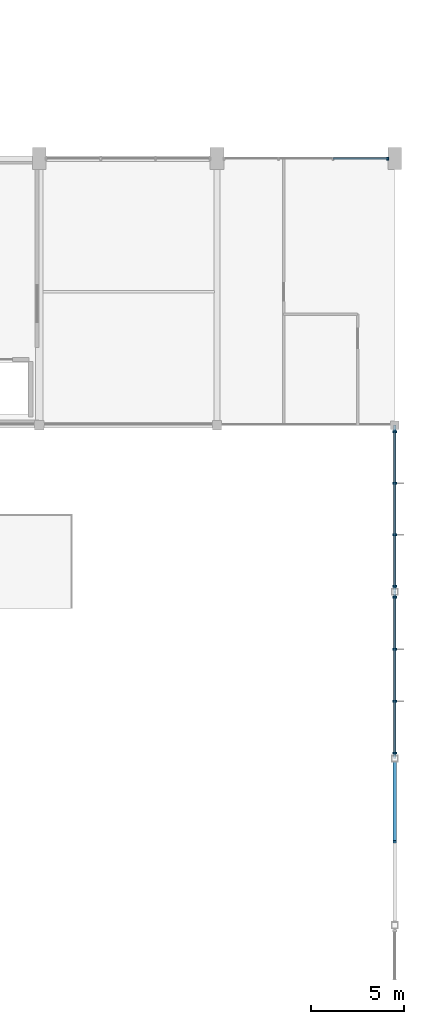
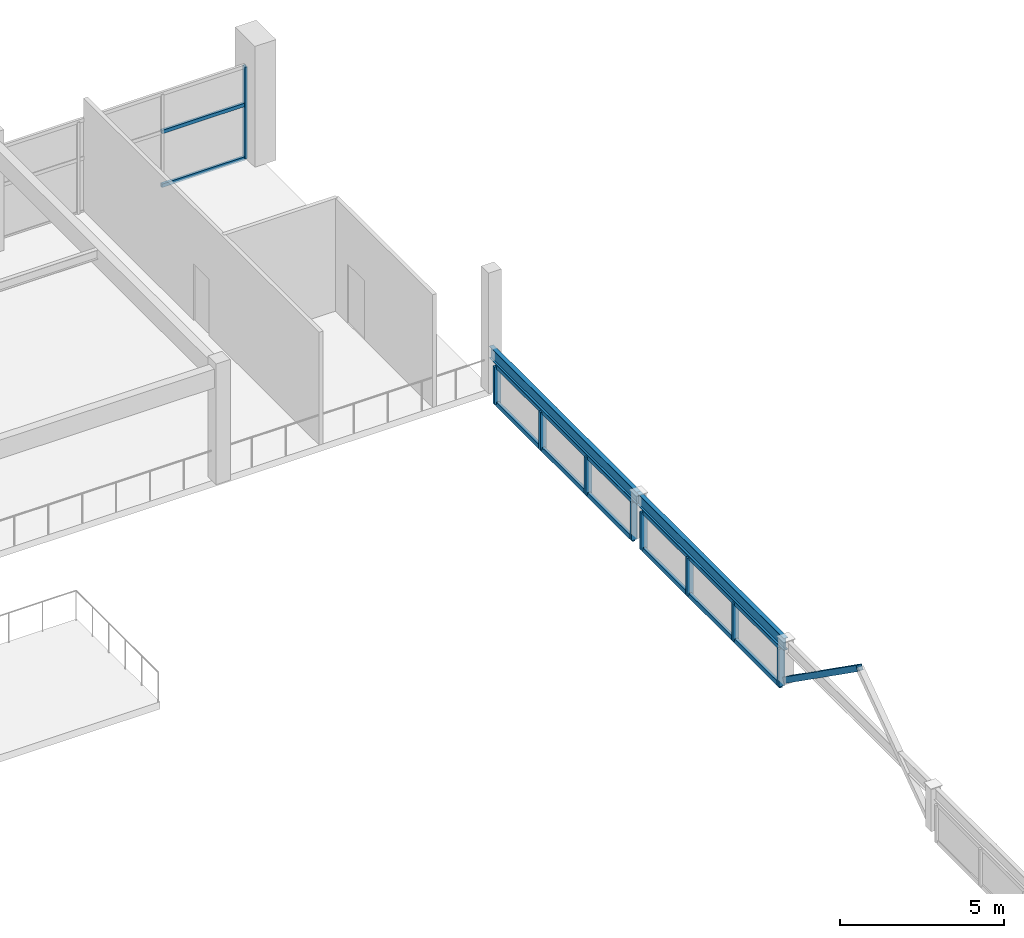
# One storey, part 45 of 89: 20 members, 2 beams, 3 elements without a shape of their own.
"""IFC4 building model written with IfcOpenShell, lengths in metres."""

from ifc_helpers import new_model, si_unit, direction, frame, origin, origin_2d, place, context, subcontext, project, spatial, rectangle, hollow_rectangle, i_section, extrude, material, material_profile, profile_set, type_object, element, aggregate, save


model = new_model("IFC4")

# Units and contexts
model_context = context("Model", 3, precision=1e-05, world=origin(), true_north=direction((0.0, 1.0)))
body_context = subcontext(model_context, "Body", "Model", "MODEL_VIEW")
ifc_project = project(units=[si_unit("LENGTHUNIT", "METRE"), si_unit("AREAUNIT", "SQUARE_METRE"), si_unit("VOLUMEUNIT", "CUBIC_METRE"), si_unit("PLANEANGLEUNIT", "RADIAN"), si_unit("MASSUNIT", "GRAM", prefix="KILO")], contexts=[model_context])

# Site, building, storey
site_placement = place(None, origin())
site = spatial("IfcSite", under=ifc_project, at=site_placement, CompositionType="ELEMENT")
building_placement = place(site_placement, origin())
building = spatial("IfcBuilding", under=site, at=building_placement, Name="Suirenkawa Promenade Aquatics Centre", CompositionType="ELEMENT")
storey_placement = place(building_placement, frame((0.0, 0.0, 9.60009765625)))
storey = spatial("IfcBuildingStorey", under=building, at=storey_placement, Name="L02", CompositionType="ELEMENT", Elevation=9.60009765625)

# Beams
ifc_material_1 = material(Name="Steel IS 2062 E350 (Grade 350)", Category="steel")
ifc_material_profile_1 = material_profile(ifc_material_1, i_section(OverallWidth=0.14990234375, OverallDepth=0.449951171875, WebThickness=0.009033203125, FlangeThickness=0.01708984375, at=origin_2d()), Name="ISMB 450", Category="steel")
ifc_profile_set_1 = profile_set([ifc_material_profile_1], Name="Steel IS 2062 E350 (Grade 350)")
beam_type = type_object("IfcBeamType", Name="BT-STL-ISMB450", PredefinedType="BEAM", material=ifc_profile_set_1)
for number, where, z_axis, x_axis, name in (
    (1, (194.39990234375, 68.39990234375, 1.375), (0.0, 1.0, 0.0), (-1.0, 0.0, 0.0), "Diving hall wind girt BM-08 BM-1367"),
    (2, (194.39990234375, 77.39990234375, 1.375), (0.0, 1.0, 0.0), (-1.0, 0.0, 0.0), "Diving hall wind girt BM-08 BM-1368"),
):
    element("IfcBeam", number, at=place(storey_placement, frame(where, z_axis=z_axis, x_axis=x_axis)), inside=storey, type_object=beam_type, Name=name, PredefinedType="BEAM", context=body_context, shape_type="SweptSolid", body=[
        extrude(i_section(OverallWidth=0.14990234375, OverallDepth=0.449951171875, WebThickness=0.009033203125, FlangeThickness=0.01708984375, at=origin_2d()), origin(), (0.0, 0.0, 1.0), 9.0),
    ])

# Curtain wall, member
ifc_material_2 = material(Name="Anodised aluminium 6063-T6", Category="aluminium")
curtain_wall_type_1 = type_object("IfcCurtainWallType", Name="CWAT-V2GL02-19", PredefinedType="NOTDEFINED", material=ifc_material_2)
curtain_wall_1_placement = place(storey_placement, origin())
curtain_wall_1 = element("IfcCurtainWall", 3, at=curtain_wall_1_placement, inside=storey, type_object=curtain_wall_type_1, Name="Curtain wall CWA-19 CW-047", PredefinedType="NOTDEFINED")
ifc_material_profile_2 = material_profile(ifc_material_2, rectangle(XDim=0.090087890625, YDim=0.159912109375, at=origin_2d()), Name="ALU MULL 90x160", Category="aluminium")
ifc_profile_set_2 = profile_set([ifc_material_profile_2], Name="Anodised aluminium 6063-T6")
member_type_1 = type_object("IfcMemberType", Name="CWM-160x90", PredefinedType="MULLION", material=ifc_profile_set_2)
member_1_placement = place(storey_placement, frame((194.02587890625, 100.800048828125, 0.0), z_axis=(0.0, 0.0, 1.0), x_axis=(1.0, 0.0, 0.0)))
member_1 = element("IfcMember", 4, at=member_1_placement, type_object=member_type_1, Name="Mullion ML-03 CWM-00959", PredefinedType="MULLION", context=body_context, shape_type="SweptSolid", body=[
    extrude(rectangle(XDim=0.090087890625, YDim=0.159912109375, at=origin_2d()), origin(), (0.0, 0.0, 1.0), 3.419921875),
])

# Curtain wall, members
curtain_wall_type_2 = type_object("IfcCurtainWallType", Name="CWAT-V2E-23", PredefinedType="NOTDEFINED", material=ifc_material_2)
curtain_wall_2_placement = place(storey_placement, origin())
curtain_wall_2 = element("IfcCurtainWall", 5, at=curtain_wall_2_placement, inside=storey, type_object=curtain_wall_type_2, Name="Curtain wall CWA-23 CW-051", PredefinedType="NOTDEFINED")
ifc_material_profile_3 = material_profile(ifc_material_2, rectangle(XDim=0.10009765625, YDim=0.219970703125, at=origin_2d()), Name="ALU MULL 100x220", Category="aluminium")
ifc_profile_set_3 = profile_set([ifc_material_profile_3], Name="Anodised aluminium 6063-T6")
member_type_2 = type_object("IfcMemberType", Name="CWM-220x100", PredefinedType="MULLION", material=ifc_profile_set_3)
member_2_placement = place(storey_placement, frame((194.39990234375, 77.10107421875, -0.35009765625), z_axis=(0.0, 0.0, 1.0), x_axis=(0.0, -1.0, 0.0)))
member_2 = element("IfcMember", 6, at=member_2_placement, type_object=member_type_2, Name="Mullion ML-01 CWM-01018", PredefinedType="MULLION", context=body_context, shape_type="SweptSolid", body=[
    extrude(rectangle(XDim=0.10009765625, YDim=0.219970703125, at=origin_2d()), origin(), (0.0, 0.0, 1.0), 1.405029296875),
])
member_3_placement = place(storey_placement, frame((194.39990234375, 74.30029296875, -0.35009765625), z_axis=(0.0, 0.0, 1.0), x_axis=(0.0, -1.0, 0.0)))
member_3 = element("IfcMember", 7, at=member_3_placement, type_object=member_type_2, Name="Mullion ML-01 CWM-01019", PredefinedType="MULLION", context=body_context, shape_type="SweptSolid", body=[
    extrude(rectangle(XDim=0.10009765625, YDim=0.219970703125, at=origin_2d()), origin(), (0.0, 0.0, 1.0), 1.405029296875),
])
member_4_placement = place(storey_placement, frame((194.39990234375, 71.499755859375, -0.35009765625), z_axis=(0.0, 0.0, 1.0), x_axis=(0.0, -1.0, 0.0)))
member_4 = element("IfcMember", 8, at=member_4_placement, type_object=member_type_2, Name="Mullion ML-01 CWM-01020", PredefinedType="MULLION", context=body_context, shape_type="SweptSolid", body=[
    extrude(rectangle(XDim=0.10009765625, YDim=0.219970703125, at=origin_2d()), origin(), (0.0, 0.0, 1.0), 1.405029296875),
])
member_5_placement = place(storey_placement, frame((194.39990234375, 68.698974609375, -0.35009765625), z_axis=(0.0, 0.0, 1.0), x_axis=(0.0, -1.0, 0.0)))
member_5 = element("IfcMember", 9, at=member_5_placement, type_object=member_type_2, Name="Mullion ML-01 CWM-01021", PredefinedType="MULLION", context=body_context, shape_type="SweptSolid", body=[
    extrude(rectangle(XDim=0.10009765625, YDim=0.219970703125, at=origin_2d()), origin(), (0.0, 0.0, 1.0), 1.405029296875),
])

curtain_wall_3_placement = place(storey_placement, origin())
curtain_wall_3 = element("IfcCurtainWall", 10, at=curtain_wall_3_placement, inside=storey, type_object=curtain_wall_type_2, Name="Curtain wall CWA-23 CW-053", PredefinedType="NOTDEFINED")
member_6_placement = place(storey_placement, frame((194.39990234375, 86.051025390625, -0.35009765625), z_axis=(0.0, 0.0, 1.0), x_axis=(0.0, -1.0, 0.0)))
member_6 = element("IfcMember", 11, at=member_6_placement, type_object=member_type_2, Name="Mullion ML-01 CWM-01046", PredefinedType="MULLION", context=body_context, shape_type="SweptSolid", body=[
    extrude(rectangle(XDim=0.10009765625, YDim=0.219970703125, at=origin_2d()), origin(), (0.0, 0.0, 1.0), 1.405029296875),
])
member_7_placement = place(storey_placement, frame((194.39990234375, 83.26708984375, -0.35009765625), z_axis=(0.0, 0.0, 1.0), x_axis=(0.0, -1.0, 0.0)))
member_7 = element("IfcMember", 12, at=member_7_placement, type_object=member_type_2, Name="Mullion ML-01 CWM-01047", PredefinedType="MULLION", context=body_context, shape_type="SweptSolid", body=[
    extrude(rectangle(XDim=0.10009765625, YDim=0.219970703125, at=origin_2d()), origin(), (0.0, 0.0, 1.0), 1.405029296875),
])
member_8_placement = place(storey_placement, frame((194.39990234375, 80.48291015625, -0.35009765625), z_axis=(0.0, 0.0, 1.0), x_axis=(0.0, -1.0, 0.0)))
member_8 = element("IfcMember", 13, at=member_8_placement, type_object=member_type_2, Name="Mullion ML-01 CWM-01048", PredefinedType="MULLION", context=body_context, shape_type="SweptSolid", body=[
    extrude(rectangle(XDim=0.10009765625, YDim=0.219970703125, at=origin_2d()), origin(), (0.0, 0.0, 1.0), 1.405029296875),
])
member_9_placement = place(storey_placement, frame((194.39990234375, 77.698974609375, -0.35009765625), z_axis=(0.0, 0.0, 1.0), x_axis=(0.0, -1.0, 0.0)))
member_9 = element("IfcMember", 14, at=member_9_placement, type_object=member_type_2, Name="Mullion ML-01 CWM-01049", PredefinedType="MULLION", context=body_context, shape_type="SweptSolid", body=[
    extrude(rectangle(XDim=0.10009765625, YDim=0.219970703125, at=origin_2d()), origin(), (0.0, 0.0, 1.0), 1.405029296875),
])

# Member
ifc_material_profile_4 = material_profile(ifc_material_2, rectangle(XDim=0.090087890625, YDim=0.1298828125, at=origin_2d()), Name="ALU TRAN 90x130", Category="aluminium")
ifc_profile_set_4 = profile_set([ifc_material_profile_4], Name="Anodised aluminium 6063-T6")
member_type_3 = type_object("IfcMemberType", Name="CWT-130x90", PredefinedType="USERDEFINED", material=ifc_profile_set_4)
member_10_placement = place(storey_placement, frame((191.075439453125, 100.800048828125, 0.0), z_axis=(1.0, 0.0, 0.0), x_axis=(0.0, 1.0, 0.0)))
member_10 = element("IfcMember", 15, at=member_10_placement, type_object=member_type_3, Name="Transom TR-03 CWT-00962", ObjectType="TRANSOM", PredefinedType="USERDEFINED", context=body_context, shape_type="SweptSolid", body=[
    extrude(rectangle(XDim=0.090087890625, YDim=0.1298828125, at=origin_2d()), origin(), (0.0, 0.0, 1.0), 2.950439453125),
])

member_11_placement = place(storey_placement, frame((191.075439453125, 100.800048828125, 2.0), z_axis=(1.0, 0.0, 0.0), x_axis=(0.0, 1.0, 0.0)))
member_11 = element("IfcMember", 16, at=member_11_placement, type_object=member_type_3, Name="Transom TR-03 CWT-00965", ObjectType="TRANSOM", PredefinedType="USERDEFINED", context=body_context, shape_type="SweptSolid", body=[
    extrude(rectangle(XDim=0.090087890625, YDim=0.1298828125, at=origin_2d()), origin(), (0.0, 0.0, 1.0), 2.950439453125),
])

aggregate(curtain_wall_1, [member_1, member_10, member_11])

ifc_material_profile_5 = material_profile(ifc_material_2, rectangle(XDim=0.10009765625, YDim=0.169921875, at=origin_2d()), Name="ALU TRAN 100x170", Category="aluminium")
ifc_profile_set_5 = profile_set([ifc_material_profile_5], Name="Anodised aluminium 6063-T6")
member_type_4 = type_object("IfcMemberType", Name="CWT-170x100", PredefinedType="USERDEFINED", material=ifc_profile_set_5)
member_12_placement = place(storey_placement, frame((194.39990234375, 77.10107421875, -0.35009765625), z_axis=(0.0, -1.0, 0.0), x_axis=(1.0, 0.0, 0.0)))
member_12 = element("IfcMember", 17, at=member_12_placement, type_object=member_type_4, Name="Transom TR-01 CWT-01022", ObjectType="TRANSOM", PredefinedType="USERDEFINED", context=body_context, shape_type="SweptSolid", body=[
    extrude(rectangle(XDim=0.10009765625, YDim=0.169921875, at=origin_2d()), origin(), (0.0, 0.0, 1.0), 2.80078125),
])

member_13_placement = place(storey_placement, frame((194.39990234375, 74.30029296875, -0.35009765625), z_axis=(0.0, -1.0, 0.0), x_axis=(1.0, 0.0, 0.0)))
member_13 = element("IfcMember", 18, at=member_13_placement, type_object=member_type_4, Name="Transom TR-01 CWT-01023", ObjectType="TRANSOM", PredefinedType="USERDEFINED", context=body_context, shape_type="SweptSolid", body=[
    extrude(rectangle(XDim=0.10009765625, YDim=0.169921875, at=origin_2d()), origin(), (0.0, 0.0, 1.0), 2.800537109375),
])

member_14_placement = place(storey_placement, frame((194.39990234375, 71.499755859375, -0.35009765625), z_axis=(0.0, -1.0, 0.0), x_axis=(1.0, 0.0, 0.0)))
member_14 = element("IfcMember", 19, at=member_14_placement, type_object=member_type_4, Name="Transom TR-01 CWT-01024", ObjectType="TRANSOM", PredefinedType="USERDEFINED", context=body_context, shape_type="SweptSolid", body=[
    extrude(rectangle(XDim=0.10009765625, YDim=0.169921875, at=origin_2d()), origin(), (0.0, 0.0, 1.0), 2.80078125),
])

member_15_placement = place(storey_placement, frame((194.39990234375, 77.10107421875, 1.054931640625), z_axis=(0.0, -1.0, 0.0), x_axis=(1.0, 0.0, 0.0)))
member_15 = element("IfcMember", 20, at=member_15_placement, type_object=member_type_4, Name="Roofline transom TR-01 CWT-01025", ObjectType="TRANSOM", PredefinedType="USERDEFINED", context=body_context, shape_type="SweptSolid", body=[
    extrude(rectangle(XDim=0.10009765625, YDim=0.169921875, at=origin_2d()), origin(), (0.0, 0.0, 1.0), 8.402099609375),
])

aggregate(curtain_wall_2, [member_2, member_3, member_4, member_5, member_12, member_13, member_14, member_15])

member_16_placement = place(storey_placement, frame((194.39990234375, 86.051025390625, -0.35009765625), z_axis=(0.0, -1.0, 0.0), x_axis=(1.0, 0.0, 0.0)))
member_16 = element("IfcMember", 21, at=member_16_placement, type_object=member_type_4, Name="Transom TR-01 CWT-01050", ObjectType="TRANSOM", PredefinedType="USERDEFINED", context=body_context, shape_type="SweptSolid", body=[
    extrude(rectangle(XDim=0.10009765625, YDim=0.169921875, at=origin_2d()), origin(), (0.0, 0.0, 1.0), 2.783935546875),
])

member_17_placement = place(storey_placement, frame((194.39990234375, 83.26708984375, -0.35009765625), z_axis=(0.0, -1.0, 0.0), x_axis=(1.0, 0.0, 0.0)))
member_17 = element("IfcMember", 22, at=member_17_placement, type_object=member_type_4, Name="Transom TR-01 CWT-01051", ObjectType="TRANSOM", PredefinedType="USERDEFINED", context=body_context, shape_type="SweptSolid", body=[
    extrude(rectangle(XDim=0.10009765625, YDim=0.169921875, at=origin_2d()), origin(), (0.0, 0.0, 1.0), 2.7841796875),
])

member_18_placement = place(storey_placement, frame((194.39990234375, 80.48291015625, -0.35009765625), z_axis=(0.0, -1.0, 0.0), x_axis=(1.0, 0.0, 0.0)))
member_18 = element("IfcMember", 23, at=member_18_placement, type_object=member_type_4, Name="Transom TR-01 CWT-01052", ObjectType="TRANSOM", PredefinedType="USERDEFINED", context=body_context, shape_type="SweptSolid", body=[
    extrude(rectangle(XDim=0.10009765625, YDim=0.169921875, at=origin_2d()), origin(), (0.0, 0.0, 1.0), 2.783935546875),
])

member_19_placement = place(storey_placement, frame((194.39990234375, 86.051025390625, 1.054931640625), z_axis=(0.0, -1.0, 0.0), x_axis=(1.0, 0.0, 0.0)))
member_19 = element("IfcMember", 24, at=member_19_placement, type_object=member_type_4, Name="Roofline transom TR-01 CWT-01053", ObjectType="TRANSOM", PredefinedType="USERDEFINED", context=body_context, shape_type="SweptSolid", body=[
    extrude(rectangle(XDim=0.10009765625, YDim=0.169921875, at=origin_2d()), origin(), (0.0, 0.0, 1.0), 8.35205078125),
])

aggregate(curtain_wall_3, [member_6, member_7, member_8, member_9, member_16, member_17, member_18, member_19])

ifc_material_profile_6 = material_profile(ifc_material_1, hollow_rectangle(XDim=0.199951171875, YDim=0.199951171875, WallThickness=0.010009765625, at=origin_2d()), Name="SHS 200x200x10", Category="steel")
ifc_profile_set_6 = profile_set([ifc_material_profile_6], Name="Steel IS 2062 E350 (Grade 350)")
member_type_5 = type_object("IfcMemberType", Name="MT-BRACE-SHS200", PredefinedType="BRACE", material=ifc_profile_set_6)
member_20_placement = place(storey_placement, frame((194.39990234375, 68.39990234375, 0.0498046875), z_axis=(0.0, -0.817089470891, 0.576510881561), x_axis=(1.0, 0.0, 0.0)))
element("IfcMember", 25, at=member_20_placement, inside=storey, type_object=member_type_5, Name="ROOF TRUSS Vertical chevron brace BF-01 MB-2918", PredefinedType="BRACE", context=body_context, shape_type="SweptSolid", body=[
    extrude(hollow_rectangle(XDim=0.199951171875, YDim=0.199951171875, WallThickness=0.010009765625, at=origin_2d()), origin(), (0.0, 0.0, 1.0), 5.50732421875),
])

save(model, "model.ifc")
